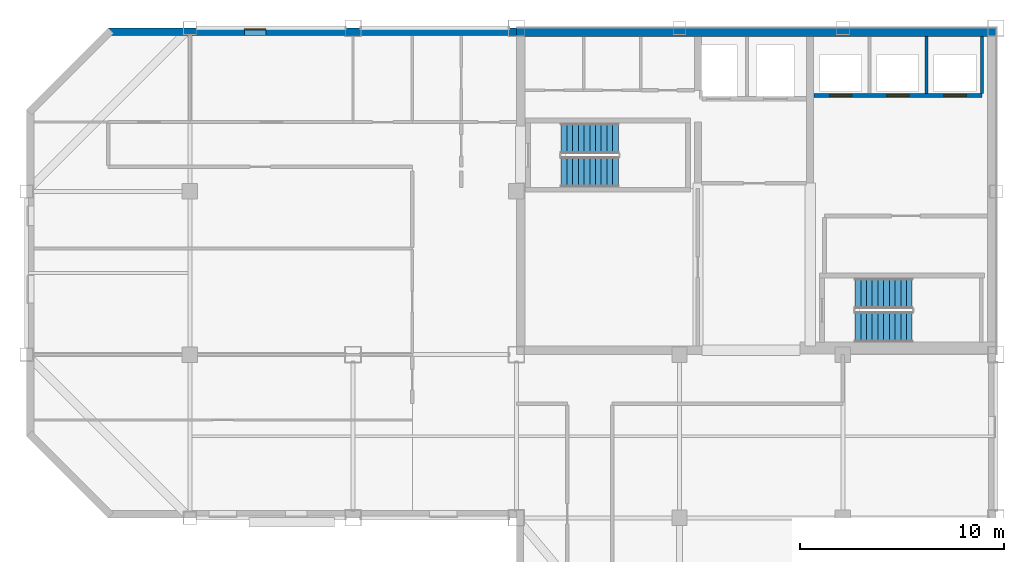
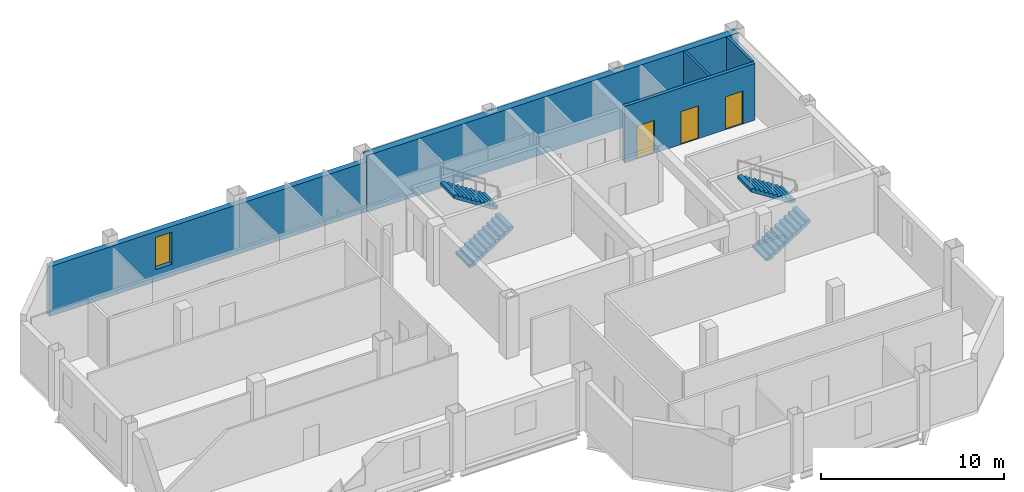
# One storey, part 4 of 7: 5 walls, 4 stair flights, 3 doors, 1 window, 4 openings, 2 elements without a shape of their own.
"""IFC4 building model written with IfcOpenShell, lengths in metres."""

import ifcopenshell
import ifcopenshell.guid

model = None  # the IFC model being written
_history = None  # IfcOwnerHistory: only IFC2X3 demands one
_inside = {}  # id of a spatial element -> (the spatial element, [elements in it])
_under = {}  # id of a project, library or spatial element -> (it, [spatial elements below it])
_declared = {}  # id of a project -> (the project, [libraries it declares])
_typed = {}  # id of a type object -> (the type object, [elements of that type])
_made_of = {}  # id of a material, layer set ... -> (it, [elements and type objects made of it])


def new_model(schema):
    """Start an empty IFC model of exactly this schema.

    Asked for "IFC4X3", IfcOpenShell would pick the latest addendum, in which some entities
    have other attributes; the version numbers below select the first issue.
    IFC2X3 requires an IfcOwnerHistory on every rooted entity: one is made here for all.
    """
    global model, _history
    if schema == "IFC4X3":
        model = ifcopenshell.file(schema_version=(4, 3, 0, 0))
    else:
        model = ifcopenshell.file(schema=schema)
    _inside.clear()
    _under.clear()
    _declared.clear()
    _typed.clear()
    _made_of.clear()
    _history = None
    if model.schema == "IFC2X3":
        org = make("IfcOrganization", Name="unknown")
        user = make(
            "IfcPersonAndOrganization",
            ThePerson=make("IfcPerson", FamilyName="unknown"),
            TheOrganization=org,
        )
        app = make(
            "IfcApplication",
            ApplicationDeveloper=org,
            Version="unknown",
            ApplicationFullName="unknown",
            ApplicationIdentifier="unknown",
        )
        _history = make(
            "IfcOwnerHistory",
            OwningUser=user,
            OwningApplication=app,
            ChangeAction="ADDED",
            CreationDate=0,
        )
    return model


def make(cls, **values):
    """One entity of the class cls with the attributes given. An attribute that is None is left unset."""
    return model.create_entity(
        cls, **{name: value for name, value in values.items() if value is not None}
    )


def rooted(cls, **values):
    """An entity with a GlobalId (a new one), such as an element, a storey or a relation."""
    return make(cls, GlobalId=ifcopenshell.guid.new(), OwnerHistory=_history, **values)


def si_unit(unit_type, name, prefix=None):
    """IfcSIUnit, for example si_unit("LENGTHUNIT", "METRE", prefix="MILLI")."""
    return make("IfcSIUnit", UnitType=unit_type, Prefix=prefix, Name=name)


def assignment(units):
    """IfcUnitAssignment: the units of a project."""
    return None if units is None else make("IfcUnitAssignment", Units=units)


def point(xyz):
    """IfcCartesianPoint."""
    return None if xyz is None else make("IfcCartesianPoint", Coordinates=xyz)


def direction(xyz):
    """IfcDirection."""
    return None if xyz is None else make("IfcDirection", DirectionRatios=xyz)


def frame(location, z_axis=None, x_axis=None):
    """IfcAxis2Placement3D, a coordinate frame: its origin and axes. An axis left out is left unset."""
    return make(
        "IfcAxis2Placement3D",
        Location=point(location),
        Axis=direction(z_axis),
        RefDirection=direction(x_axis),
    )


def frame_2d(location, x_axis=None):
    """IfcAxis2Placement2D, a coordinate frame in the plane: its origin and x axis."""
    return make(
        "IfcAxis2Placement2D", Location=point(location), RefDirection=direction(x_axis)
    )


def origin():
    """The frame at (0, 0, 0) with its axes left unset."""
    return frame((0.0, 0.0, 0.0))


def place(relative_to, where):
    """IfcLocalPlacement: puts the frame where relative to a parent placement (None: the world)."""
    return make(
        "IfcLocalPlacement", PlacementRelTo=relative_to, RelativePlacement=where
    )


def context(
    kind, dimensions, precision=None, world=None, true_north=None, identifier=None
):
    """IfcGeometricRepresentationContext, for example the 3D "Model" context."""
    return make(
        "IfcGeometricRepresentationContext",
        ContextIdentifier=identifier,
        ContextType=kind,
        CoordinateSpaceDimension=dimensions,
        Precision=precision,
        WorldCoordinateSystem=world,
        TrueNorth=true_north,
    )


def subcontext(parent, identifier, kind, view, scale=None):
    """IfcGeometricRepresentationSubContext, for example "Body" below "Model"."""
    return make(
        "IfcGeometricRepresentationSubContext",
        ContextIdentifier=identifier,
        ContextType=kind,
        ParentContext=parent,
        TargetScale=scale,
        TargetView=view,
    )


def project(units=None, contexts=None):
    """IfcProject with its units and contexts."""
    return rooted(
        "IfcProject",
        Name="project",
        RepresentationContexts=contexts,
        UnitsInContext=assignment(units),
    )


def spatial(cls, under=None, at=None, **own):
    """A site, building, storey or space (cls), placed at a placement, below another one or the project."""
    s = rooted(cls, ObjectPlacement=at, **own)
    if under is not None:
        _under.setdefault(under.id(), (under, []))[1].append(s)
    return s


def polyline(points):
    """IfcPolyline through the points."""
    return make("IfcPolyline", Points=[point(p) for p in points])


def profile(cls, at=None, kind="AREA", **sizes):
    """A parametric profile (cls). Its sizes go by their IFC names, for example OverallWidth=200.0."""
    return make(cls, ProfileType=kind, Position=at, **sizes)


def rectangle(**sizes):
    """IfcRectangleProfileDef."""
    return profile("IfcRectangleProfileDef", **sizes)


def outline(outer, holes=None, kind="AREA"):
    """IfcArbitraryClosedProfileDef: a profile drawn as a closed curve; with holes, ...WithVoids."""
    if holes is None:
        return make("IfcArbitraryClosedProfileDef", ProfileType=kind, OuterCurve=outer)
    return make(
        "IfcArbitraryProfileDefWithVoids",
        ProfileType=kind,
        OuterCurve=outer,
        InnerCurves=holes,
    )


def extrude(swept, where, along, depth):
    """IfcExtrudedAreaSolid: the profile swept, set in the frame where, extruded along a direction by depth."""
    return make(
        "IfcExtrudedAreaSolid",
        SweptArea=swept,
        Position=where,
        ExtrudedDirection=direction(along),
        Depth=depth,
    )


def shape(context_of_items, identifier, shape_type, items):
    """IfcShapeRepresentation: the items that make up one representation, for example the "Body"."""
    return make(
        "IfcShapeRepresentation",
        ContextOfItems=context_of_items,
        RepresentationIdentifier=identifier,
        RepresentationType=shape_type,
        Items=items,
    )


def material(Name=None, Category=None):
    """IfcMaterial."""
    return make("IfcMaterial", Name=Name, Category=Category)


def layer(
    of_material, thickness, ventilated=None, Name=None, Category=None, Priority=None
):
    """IfcMaterialLayer: one layer of a wall or slab, of a material (None: an air gap)."""
    return make(
        "IfcMaterialLayer",
        Material=of_material,
        LayerThickness=thickness,
        IsVentilated=ventilated,
        Name=Name,
        Category=Category,
        Priority=Priority,
    )


def layer_set(layers, Name=None):
    """IfcMaterialLayerSet."""
    return make("IfcMaterialLayerSet", MaterialLayers=layers, LayerSetName=Name)


def made_of(thing, what):
    """Note that an element or type object is made of a material, layer set ...; save() writes the relation."""
    if what is not None:
        _made_of.setdefault(what.id(), (what, []))[1].append(thing)
    return thing


def type_object(cls, material=None, **own):
    """A type object (cls), such as IfcWallType, which elements share."""
    return made_of(rooted(cls, **own), material)


def element(
    cls,
    number,
    at=None,
    inside=None,
    cuts=None,
    type_object=None,
    material=None,
    context=None,
    identifier="Body",
    shape_type=None,
    held_by="IfcProductDefinitionShape",
    body=None,
    shapes=None,
    **own,
):
    """One element of the class cls, such as IfcWall. Its Tag is "e" and its number.

    at: its placement. inside: the storey or other place that contains it. cuts: it is an
    opening in that element (IfcRelVoidsElement). A single representation is given by context,
    identifier, shape_type and body (its items); several are given by shapes. held_by: the class
    of the entity that holds the representations. save() writes the other relations.
    """
    e = rooted(cls, Tag="e%d" % number, ObjectPlacement=at, **own)
    if body is not None:
        shapes = [shape(context, identifier, shape_type, body)]
    if shapes is not None:
        e.Representation = make(held_by, Representations=shapes)
    if inside is not None:
        _inside.setdefault(inside.id(), (inside, []))[1].append(e)
    if cuts is not None:
        rooted(
            "IfcRelVoidsElement", RelatingBuildingElement=cuts, RelatedOpeningElement=e
        )
    if type_object is not None:
        _typed.setdefault(type_object.id(), (type_object, []))[1].append(e)
    return made_of(e, material)


def fill(opening, filler):
    """IfcRelFillsElement: the door or window that sits in an opening."""
    return rooted(
        "IfcRelFillsElement",
        RelatingOpeningElement=opening,
        RelatedBuildingElement=filler,
    )


def aggregate(whole, parts):
    """IfcRelAggregates: a whole, such as a stair, and the parts it consists of."""
    return rooted("IfcRelAggregates", RelatingObject=whole, RelatedObjects=parts)


def save(model, path):
    """Write the relations noted so far, then the file.

    IfcRelAggregates (storeys below a building ...), IfcRelContainedInSpatialStructure (elements
    in a storey), IfcRelDefinesByType, IfcRelAssociatesMaterial and IfcRelDeclares: one each for
    every whole, place, type object, material and project.
    """
    for whole, parts in _under.values():
        aggregate(whole, parts)
    for where, things in _inside.values():
        rooted(
            "IfcRelContainedInSpatialStructure",
            RelatedElements=things,
            RelatingStructure=where,
        )
    for kind, things in _typed.values():
        rooted("IfcRelDefinesByType", RelatedObjects=things, RelatingType=kind)
    for what, things in _made_of.values():
        rooted("IfcRelAssociatesMaterial", RelatedObjects=things, RelatingMaterial=what)
    for by, libraries in _declared.values():
        rooted("IfcRelDeclares", RelatingContext=by, RelatedDefinitions=libraries)
    model.write(path)


model = new_model("IFC4")

# Units and contexts
model_context = context("Model", 3, precision=1e-05, world=origin(), true_north=direction((0.0, 1.0)))
body_context = subcontext(model_context, "Body", "Model", "MODEL_VIEW")
ifc_project = project(units=[si_unit("LENGTHUNIT", "METRE"), si_unit("AREAUNIT", "SQUARE_METRE"), si_unit("VOLUMEUNIT", "CUBIC_METRE"), si_unit("PLANEANGLEUNIT", "RADIAN"), si_unit("MASSUNIT", "GRAM", prefix="KILO")], contexts=[model_context])

# Site, building, storey
site_placement = place(None, origin())
site = spatial("IfcSite", under=ifc_project, at=site_placement, CompositionType="ELEMENT")
building_placement = place(site_placement, origin())
building = spatial("IfcBuilding", under=site, at=building_placement, Name="Qianrong Seaharbour Tower", CompositionType="ELEMENT")
storey_placement = place(building_placement, frame((0.0, 0.0, 303.199951171875)))
storey = spatial("IfcBuildingStorey", under=building, at=storey_placement, Name="L73", CompositionType="ELEMENT", Elevation=303.199951171875)

# Wall
ifc_material_1 = material(Name="Concrete C50/60", Category="concrete")
ifc_layer_1 = layer(ifc_material_1, 0.419921875)
ifc_layer_set_1 = layer_set([ifc_layer_1], Name="Concrete C50/60")
wall_type_1 = type_object("IfcWallType", Name="WALL-CORE-420", PredefinedType="SHEAR", material=ifc_layer_set_1)
wall_1_placement = place(storey_placement, frame((40.5, 51.7900390625, 0.0), z_axis=(0.0, 0.0, 1.0), x_axis=(1.0, 0.0, 0.0)))
element("IfcWall", 1, at=wall_1_placement, inside=storey, type_object=wall_type_1, Name="L73 North Core Shear Wall", PredefinedType="SHEAR", context=body_context, shape_type="SweptSolid", body=[
    extrude(rectangle(XDim=23.5, YDim=0.419921875, at=frame_2d((11.75, 0.0))), origin(), (0.0, 0.0, 1.0), 3.78515625),
])

# Wall, opening, window
ifc_material_2 = material(Name="Unitised red brick on Precast concrete C45/55", Category="masonry")
ifc_layer_2 = layer(ifc_material_2, 0.360107421875)
ifc_layer_set_2 = layer_set([ifc_layer_2], Name="Unitised red brick on Precast concrete C45/55")
wall_type_2 = type_object("IfcWallType", Name="WALL-EXT-BRICK-RED-360", PredefinedType="SOLIDWALL", material=ifc_layer_set_2)
wall_2_placement = place(storey_placement, frame((20.5, 51.820068359375, 0.0), z_axis=(0.0, 0.0, 1.0), x_axis=(1.0, 0.0, 0.0)))
wall_2 = element("IfcWall", 2, at=wall_2_placement, inside=storey, type_object=wall_type_2, Name="L73 Exterior Masonry Facade Wall NORTH_WING", PredefinedType="SOLIDWALL", context=body_context, shape_type="SweptSolid", body=[
    extrude(rectangle(XDim=20.02001953125, YDim=0.360107421875, at=frame_2d((10.010009765625, 0.0))), origin(), (0.0, 0.0, 1.0), 3.3349609375),
])
opening_1_placement = place(wall_2_placement, frame((6.675048828125, 0.0, 0.800048828125)))
opening_1 = element("IfcOpeningElement", 3, at=opening_1_placement, cuts=wall_2, Name="Opening WN-14", PredefinedType="OPENING", context=body_context, shape_type="SweptSolid", body=[
    extrude(rectangle(XDim=1.050048828125, YDim=2.14990234375, at=frame_2d((0.52490234375, 1.074951171875))), frame((0.0, 0.18994140625, 0.0), z_axis=(0.0, -1.0, 0.0), x_axis=(1.0, 0.0, 0.0)), (0.0, 0.0, 1.0), 0.380126953125),
])
ifc_material_3 = material(Name="Insulated low-e double glazing in thermally broken aluminium 6063-T6 frame", Category="aluminium")
window_type = type_object("IfcWindowType", Name="WIN-NARROW-1050x2150", PartitioningType="SINGLE_PANEL", PredefinedType="WINDOW", material=ifc_material_3)
window_placement = place(opening_1_placement, origin())
window = element("IfcWindow", 4, at=window_placement, inside=storey, type_object=window_type, Name="L73 Deep-Set Punched Window 05.02", OverallHeight=2.14990234375, OverallWidth=1.050048828125, PartitioningType="SINGLE_PANEL", PredefinedType="WINDOW", context=body_context, shape_type="SweptSolid", body=[
    extrude(rectangle(XDim=1.050048828125, YDim=2.14990234375, at=frame_2d((0.52490234375, 1.074951171875))), frame((0.0, 0.150146484375, 0.0), z_axis=(0.0, -1.0, 0.0), x_axis=(1.0, 0.0, 0.0)), (0.0, 0.0, 1.0), 0.06005859375),
])
fill(opening_1, window)

# Walls
ifc_material_4 = material(Name="Fire-rated gypsum board on steel studs", Category="steel")
ifc_layer_3 = layer(ifc_material_4, 0.14990234375)
ifc_layer_set_3 = layer_set([ifc_layer_3], Name="Fire-rated gypsum board on steel studs")
wall_type_3 = type_object("IfcWallType", Name="WALL-SHAFT-DIV-150", PredefinedType="PARTITIONING", material=ifc_layer_set_3)
for number, where, z_axis, x_axis, name in (
    (5, (60.60009765625, 48.81005859375, 0.0), (0.0, 0.0, 1.0), (0.0, 1.0, 0.0), "L73 P4 Lift Hoistway Divider 3"),
    (6, (63.320068359375, 48.81005859375, 0.0), (0.0, 0.0, 1.0), (0.0, 1.0, 0.0), "L73 P4 Lift Hoistway Divider 4"),
):
    element("IfcWall", number, at=place(storey_placement, frame(where, z_axis=z_axis, x_axis=x_axis)), inside=storey, type_object=wall_type_3, Name=name, PredefinedType="PARTITIONING", context=body_context, shape_type="SweptSolid", body=[
        extrude(rectangle(XDim=2.77001953125, YDim=0.14990234375, at=frame_2d((1.385009765625, 0.0))), origin(), (0.0, 0.0, 1.0), 3.78515625),
    ])

# Wall, openings, doors
ifc_layer_4 = layer(ifc_material_4, 0.219970703125)
ifc_layer_set_4 = layer_set([ifc_layer_4], Name="Fire-rated gypsum board on steel studs")
wall_type_4 = type_object("IfcWallType", Name="WALL-SHAFT-GYP220", PredefinedType="PARTITIONING", material=ifc_layer_set_4)
wall_3_placement = place(storey_placement, frame((63.320068359375, 48.699951171875, 0.0), z_axis=(0.0, 0.0, 1.0), x_axis=(-1.0, 0.0, 0.0)))
wall_3 = element("IfcWall", 7, at=wall_3_placement, inside=storey, type_object=wall_type_4, Name="L73 P4 Lift Hoistway Front Wall", PredefinedType="PARTITIONING", context=body_context, shape_type="SweptSolid", body=[
    extrude(rectangle(XDim=8.239990234375, YDim=0.219970703125, at=frame_2d((4.1201171875, 0.0))), origin(), (0.0, 0.0, 1.0), 3.78515625),
])
opening_2_placement = place(wall_3_placement, frame((6.3701171875, 0.0, 0.0)))
opening_2 = element("IfcOpeningElement", 8, at=opening_2_placement, cuts=wall_3, Name="Opening LD-02", PredefinedType="OPENING", context=body_context, shape_type="SweptSolid", body=[
    extrude(rectangle(XDim=1.10009765625, YDim=2.199951171875, at=frame_2d((0.550048828125, 1.10009765625))), frame((0.0, 0.1201171875, 0.0), z_axis=(0.0, -1.0, 0.0), x_axis=(1.0, 0.0, 0.0)), (0.0, 0.0, 1.0), 0.239990234375),
])
opening_3_placement = place(wall_3_placement, frame((3.570068359375, 0.0, 0.0)))
opening_3 = element("IfcOpeningElement", 9, at=opening_3_placement, cuts=wall_3, Name="Opening LD-02", PredefinedType="OPENING", context=body_context, shape_type="SweptSolid", body=[
    extrude(rectangle(XDim=1.10009765625, YDim=2.199951171875, at=frame_2d((0.550048828125, 1.10009765625))), frame((0.0, 0.1201171875, 0.0), z_axis=(0.0, -1.0, 0.0), x_axis=(1.0, 0.0, 0.0)), (0.0, 0.0, 1.0), 0.239990234375),
])
opening_4_placement = place(wall_3_placement, frame((0.77001953125, 0.0, 0.0)))
opening_4 = element("IfcOpeningElement", 10, at=opening_4_placement, cuts=wall_3, Name="Opening LD-02", PredefinedType="OPENING", context=body_context, shape_type="SweptSolid", body=[
    extrude(rectangle(XDim=1.10009765625, YDim=2.199951171875, at=frame_2d((0.550048828125, 1.10009765625))), frame((0.0, 0.1201171875, 0.0), z_axis=(0.0, -1.0, 0.0), x_axis=(1.0, 0.0, 0.0)), (0.0, 0.0, 1.0), 0.239990234375),
])
ifc_material_5 = material(Name="Stainless steel SUS316L bi-parting lift landing door", Category="steel")
door_type = type_object("IfcDoorType", Name="DOOR-LIFT-PASS-1100x2200", OperationType="DOUBLE_DOOR_SLIDING", PredefinedType="DOOR", material=ifc_material_5)
door_1_placement = place(opening_2_placement, origin())
door_1 = element("IfcDoor", 11, at=door_1_placement, inside=storey, type_object=door_type, Name="L73 PL-4A Lift Landing Door", OperationType="DOUBLE_DOOR_SLIDING", OverallHeight=2.199951171875, OverallWidth=1.10009765625, PredefinedType="DOOR", context=body_context, shape_type="SweptSolid", body=[
    extrude(rectangle(XDim=1.10009765625, YDim=2.199951171875, at=frame_2d((0.550048828125, 1.10009765625))), frame((0.0, 0.02490234375, 0.0), z_axis=(0.0, -1.0, 0.0), x_axis=(1.0, 0.0, 0.0)), (0.0, 0.0, 1.0), 0.050048828125),
])
fill(opening_2, door_1)
door_2_placement = place(opening_3_placement, origin())
door_2 = element("IfcDoor", 12, at=door_2_placement, inside=storey, type_object=door_type, Name="L73 PL-4B Lift Landing Door", OperationType="DOUBLE_DOOR_SLIDING", OverallHeight=2.199951171875, OverallWidth=1.10009765625, PredefinedType="DOOR", context=body_context, shape_type="SweptSolid", body=[
    extrude(rectangle(XDim=1.10009765625, YDim=2.199951171875, at=frame_2d((0.550048828125, 1.10009765625))), frame((0.0, 0.02490234375, 0.0), z_axis=(0.0, -1.0, 0.0), x_axis=(1.0, 0.0, 0.0)), (0.0, 0.0, 1.0), 0.050048828125),
])
fill(opening_3, door_2)
door_3_placement = place(opening_4_placement, origin())
door_3 = element("IfcDoor", 13, at=door_3_placement, inside=storey, type_object=door_type, Name="L73 PL-4C Lift Landing Door", OperationType="DOUBLE_DOOR_SLIDING", OverallHeight=2.199951171875, OverallWidth=1.10009765625, PredefinedType="DOOR", context=body_context, shape_type="SweptSolid", body=[
    extrude(rectangle(XDim=1.10009765625, YDim=2.199951171875, at=frame_2d((0.550048828125, 1.10009765625))), frame((0.0, 0.02490234375, 0.0), z_axis=(0.0, -1.0, 0.0), x_axis=(1.0, 0.0, 0.0)), (0.0, 0.0, 1.0), 0.050048828125),
])
fill(opening_4, door_3)

# Stair, stair flights
stair_type = type_object("IfcStairType", Name="STAIR-DOGLEG-1500-R22", PredefinedType="HALF_TURN_STAIR", material=ifc_material_1)
stair_1_placement = place(storey_placement, origin())
stair_1 = element("IfcStair", 14, at=stair_1_placement, inside=storey, type_object=stair_type, Name="L73 Protected Escape Stair ST-1", PredefinedType="HALF_TURN_STAIR")
stair_flight_type = type_object("IfcStairFlightType", Name="FLIGHT-STR-1500-R22", PredefinedType="STRAIGHT", material=ifc_material_1)
stair_flight_1_placement = place(storey_placement, frame((42.699951171875, 44.949951171875, 0.0), z_axis=(0.0, 0.0, 1.0), x_axis=(1.0, 0.0, 0.0)))
stair_flight_1 = element("IfcStairFlight", 15, at=stair_flight_1_placement, type_object=stair_flight_type, Name="ST-1 flight 1", NumberOfRisers=11, NumberOfTreads=10, PredefinedType="STRAIGHT", RiserHeight=0.181818182, TreadLength=0.28, context=body_context, shape_type="SweptSolid", body=[
    extrude(outline(polyline([(0.0, 0.0), (0.0, 0.181884765625), (0.280029296875, 0.181884765625), (0.280029296875, 0.363525390625), (0.56005859375, 0.363525390625), (0.56005859375, 0.54541015625), (0.840087890625, 0.54541015625), (0.840087890625, 0.727294921875), (1.1201171875, 0.727294921875), (1.1201171875, 0.9091796875), (1.39990234375, 0.9091796875), (1.39990234375, 1.0908203125), (1.679931640625, 1.0908203125), (1.679931640625, 1.272705078125), (1.9599609375, 1.272705078125), (1.9599609375, 1.45458984375), (2.239990234375, 1.45458984375), (2.239990234375, 1.636474609375), (2.52001953125, 1.636474609375), (2.52001953125, 1.818115234375), (2.800048828125, 1.818115234375), (2.800048828125, 2.0), (2.800048828125, 1.62744140625), (0.293701171875, 0.0), (0.0, 0.0)])), frame((0.0, 0.75, 0.0), z_axis=(0.0, -1.0, 0.0), x_axis=(1.0, 0.0, 0.0)), (0.0, 0.0, 1.0), 1.5),
])
stair_flight_2_placement = place(storey_placement, frame((45.5, 46.60009765625, 2.0), z_axis=(0.0, 0.0, 1.0), x_axis=(-1.0, 0.0, 0.0)))
stair_flight_2 = element("IfcStairFlight", 16, at=stair_flight_2_placement, type_object=stair_flight_type, Name="ST-1 flight 2", NumberOfRisers=11, NumberOfTreads=10, PredefinedType="STRAIGHT", RiserHeight=0.181818182, TreadLength=0.28, context=body_context, shape_type="SweptSolid", body=[
    extrude(outline(polyline([(0.0, 0.0), (0.0, 0.181884765625), (0.280029296875, 0.181884765625), (0.280029296875, 0.363525390625), (0.56005859375, 0.363525390625), (0.56005859375, 0.54541015625), (0.840087890625, 0.54541015625), (0.840087890625, 0.727294921875), (1.1201171875, 0.727294921875), (1.1201171875, 0.9091796875), (1.39990234375, 0.9091796875), (1.39990234375, 1.0908203125), (1.679931640625, 1.0908203125), (1.679931640625, 1.272705078125), (1.9599609375, 1.272705078125), (1.9599609375, 1.45458984375), (2.239990234375, 1.45458984375), (2.239990234375, 1.636474609375), (2.52001953125, 1.636474609375), (2.52001953125, 1.818115234375), (2.800048828125, 1.818115234375), (2.800048828125, 2.0), (2.800048828125, 1.62744140625), (0.293701171875, 0.0), (0.0, 0.0)])), frame((0.0, 0.75, 0.0), z_axis=(0.0, -1.0, 0.0), x_axis=(1.0, 0.0, 0.0)), (0.0, 0.0, 1.0), 1.5),
])
aggregate(stair_1, [stair_flight_1, stair_flight_2])

stair_2_placement = place(storey_placement, origin())
stair_2 = element("IfcStair", 17, at=stair_2_placement, inside=storey, type_object=stair_type, Name="L73 Protected Escape Stair ST-2", PredefinedType="HALF_TURN_STAIR")
stair_flight_3_placement = place(storey_placement, frame((57.10009765625, 37.35009765625, 0.0), z_axis=(0.0, 0.0, 1.0), x_axis=(1.0, 0.0, 0.0)))
stair_flight_3 = element("IfcStairFlight", 18, at=stair_flight_3_placement, type_object=stair_flight_type, Name="ST-2 flight 1", NumberOfRisers=11, NumberOfTreads=10, PredefinedType="STRAIGHT", RiserHeight=0.181818182, TreadLength=0.28, context=body_context, shape_type="SweptSolid", body=[
    extrude(outline(polyline([(0.0, 0.0), (0.0, 0.181884765625), (0.280029296875, 0.181884765625), (0.280029296875, 0.363525390625), (0.56005859375, 0.363525390625), (0.56005859375, 0.54541015625), (0.840087890625, 0.54541015625), (0.840087890625, 0.727294921875), (1.1201171875, 0.727294921875), (1.1201171875, 0.9091796875), (1.39990234375, 0.9091796875), (1.39990234375, 1.0908203125), (1.679931640625, 1.0908203125), (1.679931640625, 1.272705078125), (1.9599609375, 1.272705078125), (1.9599609375, 1.45458984375), (2.239990234375, 1.45458984375), (2.239990234375, 1.636474609375), (2.52001953125, 1.636474609375), (2.52001953125, 1.818115234375), (2.800048828125, 1.818115234375), (2.800048828125, 2.0), (2.800048828125, 1.62744140625), (0.293701171875, 0.0), (0.0, 0.0)])), frame((0.0, 0.75, 0.0), z_axis=(0.0, -1.0, 0.0), x_axis=(1.0, 0.0, 0.0)), (0.0, 0.0, 1.0), 1.5),
])
stair_flight_4_placement = place(storey_placement, frame((59.89990234375, 39.0, 2.0), z_axis=(0.0, 0.0, 1.0), x_axis=(-1.0, 0.0, 0.0)))
stair_flight_4 = element("IfcStairFlight", 19, at=stair_flight_4_placement, type_object=stair_flight_type, Name="ST-2 flight 2", NumberOfRisers=11, NumberOfTreads=10, PredefinedType="STRAIGHT", RiserHeight=0.181818182, TreadLength=0.28, context=body_context, shape_type="SweptSolid", body=[
    extrude(outline(polyline([(0.0, 0.0), (0.0, 0.181884765625), (0.280029296875, 0.181884765625), (0.280029296875, 0.363525390625), (0.56005859375, 0.363525390625), (0.56005859375, 0.54541015625), (0.840087890625, 0.54541015625), (0.840087890625, 0.727294921875), (1.1201171875, 0.727294921875), (1.1201171875, 0.9091796875), (1.39990234375, 0.9091796875), (1.39990234375, 1.0908203125), (1.679931640625, 1.0908203125), (1.679931640625, 1.272705078125), (1.9599609375, 1.272705078125), (1.9599609375, 1.45458984375), (2.239990234375, 1.45458984375), (2.239990234375, 1.636474609375), (2.52001953125, 1.636474609375), (2.52001953125, 1.818115234375), (2.800048828125, 1.818115234375), (2.800048828125, 2.0), (2.800048828125, 1.62744140625), (0.293701171875, 0.0), (0.0, 0.0)])), frame((0.0, 0.75, 0.0), z_axis=(0.0, -1.0, 0.0), x_axis=(1.0, 0.0, 0.0)), (0.0, 0.0, 1.0), 1.5),
])
aggregate(stair_2, [stair_flight_3, stair_flight_4])

save(model, "model.ifc")
